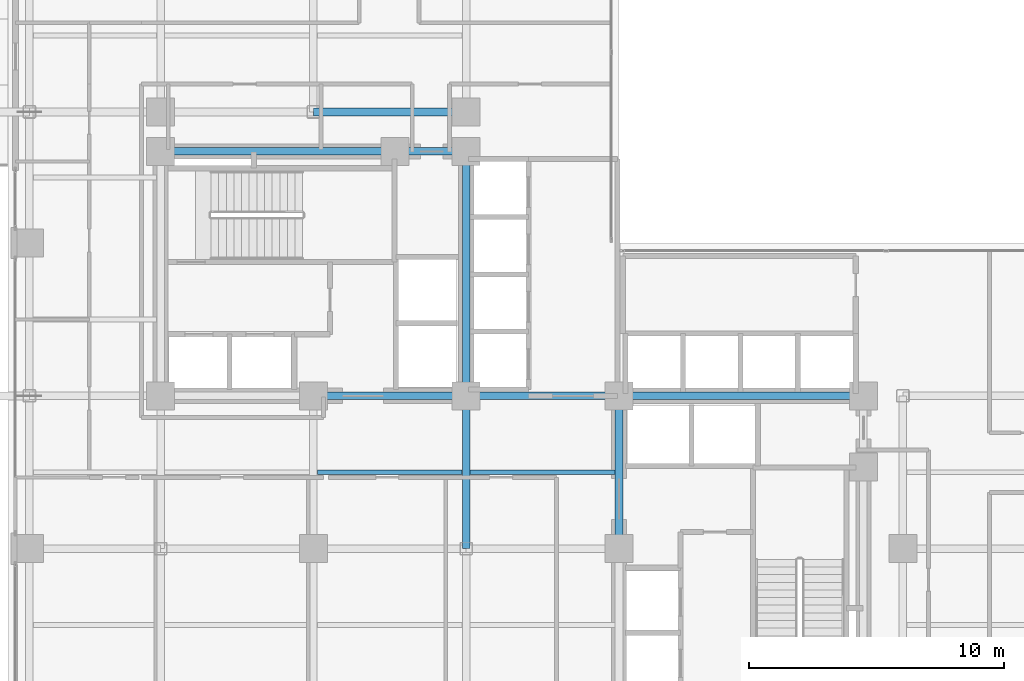
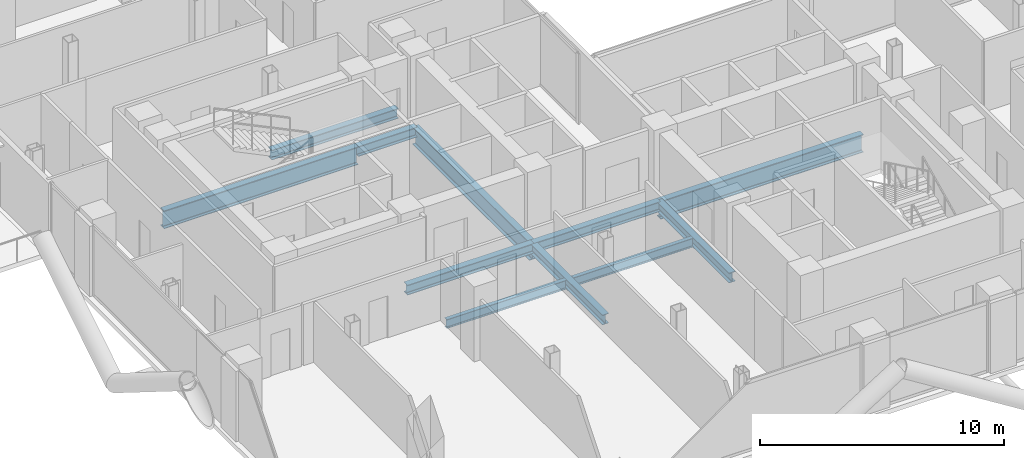
# One storey, part 8 of 28: 11 beams.
"""IFC4 building model written with IfcOpenShell, lengths in metres."""

from ifc_helpers import new_model, si_unit, direction, frame, origin, origin_2d, place, context, subcontext, project, spatial, i_section, extrude, material, material_profile, profile_set, type_object, element, save


model = new_model("IFC4")

# Units and contexts
model_context = context("Model", 3, precision=1e-05, world=origin(), true_north=direction((0.0, 1.0)))
body_context = subcontext(model_context, "Body", "Model", "MODEL_VIEW")
ifc_project = project(units=[si_unit("LENGTHUNIT", "METRE"), si_unit("AREAUNIT", "SQUARE_METRE"), si_unit("VOLUMEUNIT", "CUBIC_METRE"), si_unit("PLANEANGLEUNIT", "RADIAN"), si_unit("MASSUNIT", "GRAM", prefix="KILO"), si_unit("THERMODYNAMICTEMPERATUREUNIT", "KELVIN"), si_unit("POWERUNIT", "WATT")], contexts=[model_context])

# Site, building, storey
site_placement = place(None, origin())
site = spatial("IfcSite", under=ifc_project, at=site_placement, CompositionType="ELEMENT")
building_placement = place(site_placement, origin())
building = spatial("IfcBuilding", under=site, at=building_placement, Name="Svarakhadi Broadcast Tower", CompositionType="ELEMENT")
storey_placement = place(building_placement, frame((0.0, 0.0, 103.35009765625)))
storey = spatial("IfcBuildingStorey", under=building, at=storey_placement, Name="L24", CompositionType="ELEMENT", Elevation=103.35009765625)

# Beams
ifc_material_1 = material(Name="Steel S355J2 (IS 2062 E350C)", Category="steel")
ifc_material_profile_1 = material_profile(ifc_material_1, i_section(OverallWidth=0.18994140625, OverallDepth=0.449951171875, WebThickness=0.009521484375, FlangeThickness=0.0146484375, FilletRadius=0.02099609375, at=origin_2d()), Name="NPB 450x190x78")
ifc_profile_set_1 = profile_set([ifc_material_profile_1], Name="Steel S355J2 (IS 2062 E350C)")
beam_type_1 = type_object("IfcBeamType", Name="Beam_NPB450", PredefinedType="BEAM", material=ifc_profile_set_1)
for number, where, z_axis, x_axis, name in (
    (1, (12.159912109375, 15.0, -0.4501953125), (1.0, 0.0, 0.0), (0.0, 1.0, 0.0), "L24 Secondary Composite Beam SB013"),
    (2, (18.159912109375, 15.0, -0.4501953125), (1.0, 0.0, 0.0), (0.0, 1.0, 0.0), "L24 Secondary Composite Beam SB018"),
):
    element("IfcBeam", number, at=place(storey_placement, frame(where, z_axis=z_axis, x_axis=x_axis)), inside=storey, type_object=beam_type_1, Name=name, PredefinedType="BEAM", context=body_context, shape_type="SweptSolid", body=[
        extrude(i_section(OverallWidth=0.18994140625, OverallDepth=0.449951171875, WebThickness=0.009521484375, FlangeThickness=0.0146484375, FilletRadius=0.02099609375, at=origin_2d()), origin(), (0.0, 0.0, 1.0), 5.68017578125),
    ])
ifc_material_profile_2 = material_profile(ifc_material_1, i_section(OverallWidth=0.300048828125, OverallDepth=0.5, WebThickness=0.014404296875, FlangeThickness=0.028076171875, FilletRadius=0.027099609375, at=origin_2d()), Name="WPB 500x300x187")
ifc_profile_set_2 = profile_set([ifc_material_profile_2], Name="Steel S355J2 (IS 2062 E350C)")
beam_type_2 = type_object("IfcBeamType", Name="Girder_WPB500", PredefinedType="USERDEFINED", material=ifc_profile_set_2)
for number, where, z_axis, x_axis, name in (
    (3, (12.0, 18.0, -0.47509765625), (1.0, 0.0, 0.0), (0.0, 1.0, 0.0), "L24 Primary E-W Girder G025"),
    (4, (18.0, 18.0, -0.47509765625), (1.0, 0.0, 0.0), (0.0, 1.0, 0.0), "L24 Primary E-W Girder G026"),
):
    element("IfcBeam", number, at=place(storey_placement, frame(where, z_axis=z_axis, x_axis=x_axis)), inside=storey, type_object=beam_type_2, Name=name, ObjectType="GIRDER", PredefinedType="USERDEFINED", context=body_context, shape_type="SweptSolid", body=[
        extrude(i_section(OverallWidth=0.300048828125, OverallDepth=0.5, WebThickness=0.014404296875, FlangeThickness=0.028076171875, FilletRadius=0.027099609375, at=origin_2d()), origin(), (0.0, 0.0, 1.0), 6.0),
    ])
beam_1_placement = place(storey_placement, frame((15.199951171875, 27.60009765625, -0.47509765625), z_axis=(1.0, 0.0, 0.0), x_axis=(0.0, 1.0, 0.0)))
element("IfcBeam", 5, at=beam_1_placement, inside=storey, type_object=beam_type_2, Name="L24 Primary E-W Girder G031", ObjectType="GIRDER", PredefinedType="USERDEFINED", context=body_context, shape_type="SweptSolid", body=[
    extrude(i_section(OverallWidth=0.300048828125, OverallDepth=0.5, WebThickness=0.014404296875, FlangeThickness=0.028076171875, FilletRadius=0.027099609375, at=origin_2d()), origin(), (0.0, 0.0, 1.0), 2.800048828125),
])
for number, where, z_axis, x_axis, name in (
    (6, (12.0, 29.14990234375, -0.47509765625), (1.0, 0.0, 0.0), (0.0, 1.0, 0.0), "L24 Primary E-W Girder G034"),
    (7, (18.0, 12.0, -0.47509765625), (0.0, 1.0, 0.0), (-1.0, 0.0, 0.0), "L24 Primary N-S Girder G058"),
    (8, (24.0, 12.0, -0.47509765625), (0.0, 1.0, 0.0), (-1.0, 0.0, 0.0), "L24 Primary N-S Girder G064"),
):
    element("IfcBeam", number, at=place(storey_placement, frame(where, z_axis=z_axis, x_axis=x_axis)), inside=storey, type_object=beam_type_2, Name=name, ObjectType="GIRDER", PredefinedType="USERDEFINED", context=body_context, shape_type="SweptSolid", body=[
        extrude(i_section(OverallWidth=0.300048828125, OverallDepth=0.5, WebThickness=0.014404296875, FlangeThickness=0.028076171875, FilletRadius=0.027099609375, at=origin_2d()), origin(), (0.0, 0.0, 1.0), 6.0),
    ])
ifc_material_2 = material(Name="Steel S460ML (IS 2062 E450BR)", Category="steel")
ifc_material_profile_3 = material_profile(ifc_material_2, i_section(OverallWidth=0.300048828125, OverallDepth=0.89990234375, WebThickness=0.0185546875, FlangeThickness=0.034912109375, FilletRadius=0.030029296875, at=origin_2d()), Name="WPB 900x300x291")
ifc_profile_set_3 = profile_set([ifc_material_profile_3], Name="Steel S460ML (IS 2062 E450BR)")
beam_type_3 = type_object("IfcBeamType", Name="Girder_WPB900", PredefinedType="USERDEFINED", material=ifc_profile_set_3)
beam_2_placement = place(storey_placement, frame((24.0, 18.0, -0.675048828125), z_axis=(1.0, 0.0, 0.0), x_axis=(0.0, 1.0, 0.0)))
element("IfcBeam", 9, at=beam_2_placement, inside=storey, type_object=beam_type_3, Name="L24 Primary E-W Girder G027", ObjectType="GIRDER", PredefinedType="USERDEFINED", context=body_context, shape_type="SweptSolid", body=[
    extrude(i_section(OverallWidth=0.300048828125, OverallDepth=0.89990234375, WebThickness=0.0185546875, FlangeThickness=0.034912109375, FilletRadius=0.030029296875, at=origin_2d()), origin(), (0.0, 0.0, 1.0), 9.60009765625),
])
beam_3_placement = place(storey_placement, frame((6.0, 27.60009765625, -0.675048828125), z_axis=(1.0, 0.0, 0.0), x_axis=(0.0, 1.0, 0.0)))
element("IfcBeam", 10, at=beam_3_placement, inside=storey, type_object=beam_type_3, Name="L24 Primary E-W Girder G030", ObjectType="GIRDER", PredefinedType="USERDEFINED", context=body_context, shape_type="SweptSolid", body=[
    extrude(i_section(OverallWidth=0.300048828125, OverallDepth=0.89990234375, WebThickness=0.0185546875, FlangeThickness=0.034912109375, FilletRadius=0.030029296875, at=origin_2d()), origin(), (0.0, 0.0, 1.0), 9.199951171875),
])
beam_4_placement = place(storey_placement, frame((18.0, 18.0, -0.675048828125), z_axis=(0.0, 1.0, 0.0), x_axis=(-1.0, 0.0, 0.0)))
element("IfcBeam", 11, at=beam_4_placement, inside=storey, type_object=beam_type_3, Name="L24 Primary N-S Girder G059", ObjectType="GIRDER", PredefinedType="USERDEFINED", context=body_context, shape_type="SweptSolid", body=[
    extrude(i_section(OverallWidth=0.300048828125, OverallDepth=0.89990234375, WebThickness=0.0185546875, FlangeThickness=0.034912109375, FilletRadius=0.030029296875, at=origin_2d()), origin(), (0.0, 0.0, 1.0), 9.60009765625),
])

save(model, "model.ifc")
